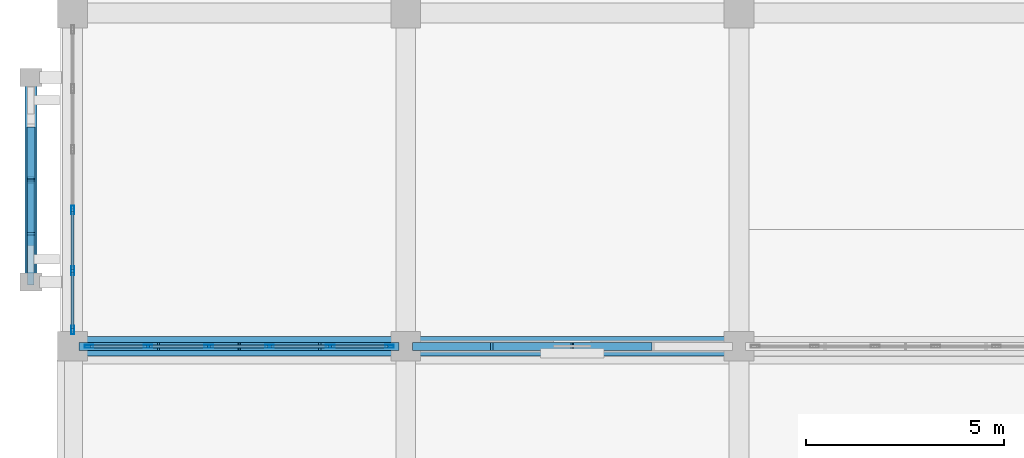
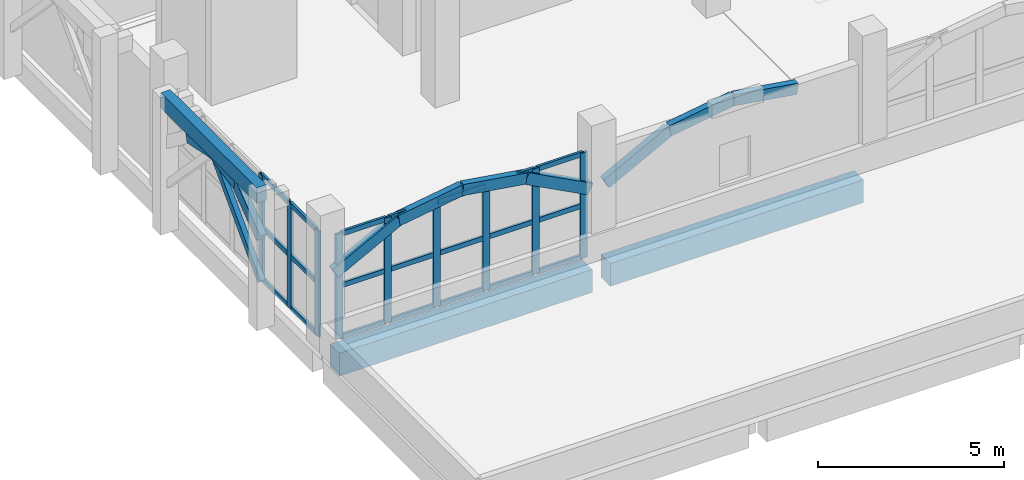
# One storey, part 39 of 114: 41 members, 3 beams, 2 elements without a shape of their own.
"""IFC4 building model written with IfcOpenShell, lengths in metres."""

import ifcopenshell
import ifcopenshell.guid

model = None  # the IFC model being written
_history = None  # IfcOwnerHistory: only IFC2X3 demands one
_inside = {}  # id of a spatial element -> (the spatial element, [elements in it])
_under = {}  # id of a project, library or spatial element -> (it, [spatial elements below it])
_declared = {}  # id of a project -> (the project, [libraries it declares])
_typed = {}  # id of a type object -> (the type object, [elements of that type])
_made_of = {}  # id of a material, layer set ... -> (it, [elements and type objects made of it])


def new_model(schema):
    """Start an empty IFC model of exactly this schema.

    Asked for "IFC4X3", IfcOpenShell would pick the latest addendum, in which some entities
    have other attributes; the version numbers below select the first issue.
    IFC2X3 requires an IfcOwnerHistory on every rooted entity: one is made here for all.
    """
    global model, _history
    if schema == "IFC4X3":
        model = ifcopenshell.file(schema_version=(4, 3, 0, 0))
    else:
        model = ifcopenshell.file(schema=schema)
    _inside.clear()
    _under.clear()
    _declared.clear()
    _typed.clear()
    _made_of.clear()
    _history = None
    if model.schema == "IFC2X3":
        org = make("IfcOrganization", Name="unknown")
        user = make(
            "IfcPersonAndOrganization",
            ThePerson=make("IfcPerson", FamilyName="unknown"),
            TheOrganization=org,
        )
        app = make(
            "IfcApplication",
            ApplicationDeveloper=org,
            Version="unknown",
            ApplicationFullName="unknown",
            ApplicationIdentifier="unknown",
        )
        _history = make(
            "IfcOwnerHistory",
            OwningUser=user,
            OwningApplication=app,
            ChangeAction="ADDED",
            CreationDate=0,
        )
    return model


def make(cls, **values):
    """One entity of the class cls with the attributes given. An attribute that is None is left unset."""
    return model.create_entity(
        cls, **{name: value for name, value in values.items() if value is not None}
    )


def rooted(cls, **values):
    """An entity with a GlobalId (a new one), such as an element, a storey or a relation."""
    return make(cls, GlobalId=ifcopenshell.guid.new(), OwnerHistory=_history, **values)


def si_unit(unit_type, name, prefix=None):
    """IfcSIUnit, for example si_unit("LENGTHUNIT", "METRE", prefix="MILLI")."""
    return make("IfcSIUnit", UnitType=unit_type, Prefix=prefix, Name=name)


def assignment(units):
    """IfcUnitAssignment: the units of a project."""
    return None if units is None else make("IfcUnitAssignment", Units=units)


def point(xyz):
    """IfcCartesianPoint."""
    return None if xyz is None else make("IfcCartesianPoint", Coordinates=xyz)


def direction(xyz):
    """IfcDirection."""
    return None if xyz is None else make("IfcDirection", DirectionRatios=xyz)


def frame(location, z_axis=None, x_axis=None):
    """IfcAxis2Placement3D, a coordinate frame: its origin and axes. An axis left out is left unset."""
    return make(
        "IfcAxis2Placement3D",
        Location=point(location),
        Axis=direction(z_axis),
        RefDirection=direction(x_axis),
    )


def frame_2d(location, x_axis=None):
    """IfcAxis2Placement2D, a coordinate frame in the plane: its origin and x axis."""
    return make(
        "IfcAxis2Placement2D", Location=point(location), RefDirection=direction(x_axis)
    )


def origin():
    """The frame at (0, 0, 0) with its axes left unset."""
    return frame((0.0, 0.0, 0.0))


def origin_2d():
    """The frame at (0, 0) in the plane with its x axis left unset."""
    return frame_2d((0.0, 0.0))


def place(relative_to, where):
    """IfcLocalPlacement: puts the frame where relative to a parent placement (None: the world)."""
    return make(
        "IfcLocalPlacement", PlacementRelTo=relative_to, RelativePlacement=where
    )


def context(
    kind, dimensions, precision=None, world=None, true_north=None, identifier=None
):
    """IfcGeometricRepresentationContext, for example the 3D "Model" context."""
    return make(
        "IfcGeometricRepresentationContext",
        ContextIdentifier=identifier,
        ContextType=kind,
        CoordinateSpaceDimension=dimensions,
        Precision=precision,
        WorldCoordinateSystem=world,
        TrueNorth=true_north,
    )


def subcontext(parent, identifier, kind, view, scale=None):
    """IfcGeometricRepresentationSubContext, for example "Body" below "Model"."""
    return make(
        "IfcGeometricRepresentationSubContext",
        ContextIdentifier=identifier,
        ContextType=kind,
        ParentContext=parent,
        TargetScale=scale,
        TargetView=view,
    )


def project(units=None, contexts=None):
    """IfcProject with its units and contexts."""
    return rooted(
        "IfcProject",
        Name="project",
        RepresentationContexts=contexts,
        UnitsInContext=assignment(units),
    )


def spatial(cls, under=None, at=None, **own):
    """A site, building, storey or space (cls), placed at a placement, below another one or the project."""
    s = rooted(cls, ObjectPlacement=at, **own)
    if under is not None:
        _under.setdefault(under.id(), (under, []))[1].append(s)
    return s


def profile(cls, at=None, kind="AREA", **sizes):
    """A parametric profile (cls). Its sizes go by their IFC names, for example OverallWidth=200.0."""
    return make(cls, ProfileType=kind, Position=at, **sizes)


def rectangle(**sizes):
    """IfcRectangleProfileDef."""
    return profile("IfcRectangleProfileDef", **sizes)


def hollow_rectangle(**sizes):
    """IfcRectangleHollowProfileDef."""
    return profile("IfcRectangleHollowProfileDef", **sizes)


def extrude(swept, where, along, depth):
    """IfcExtrudedAreaSolid: the profile swept, set in the frame where, extruded along a direction by depth."""
    return make(
        "IfcExtrudedAreaSolid",
        SweptArea=swept,
        Position=where,
        ExtrudedDirection=direction(along),
        Depth=depth,
    )


def shape(context_of_items, identifier, shape_type, items):
    """IfcShapeRepresentation: the items that make up one representation, for example the "Body"."""
    return make(
        "IfcShapeRepresentation",
        ContextOfItems=context_of_items,
        RepresentationIdentifier=identifier,
        RepresentationType=shape_type,
        Items=items,
    )


def material(Name=None, Category=None):
    """IfcMaterial."""
    return make("IfcMaterial", Name=Name, Category=Category)


def layer(
    of_material, thickness, ventilated=None, Name=None, Category=None, Priority=None
):
    """IfcMaterialLayer: one layer of a wall or slab, of a material (None: an air gap)."""
    return make(
        "IfcMaterialLayer",
        Material=of_material,
        LayerThickness=thickness,
        IsVentilated=ventilated,
        Name=Name,
        Category=Category,
        Priority=Priority,
    )


def layer_set(layers, Name=None):
    """IfcMaterialLayerSet."""
    return make("IfcMaterialLayerSet", MaterialLayers=layers, LayerSetName=Name)


def material_profile(
    of_material, cross_section, Name=None, Category=None, Priority=None
):
    """IfcMaterialProfile: a cross section and its material."""
    return make(
        "IfcMaterialProfile",
        Name=Name,
        Material=of_material,
        Profile=cross_section,
        Priority=Priority,
        Category=Category,
    )


def profile_set(profiles, Name=None, composite=None):
    """IfcMaterialProfileSet."""
    return make(
        "IfcMaterialProfileSet",
        Name=Name,
        MaterialProfiles=profiles,
        CompositeProfile=composite,
    )


def made_of(thing, what):
    """Note that an element or type object is made of a material, layer set ...; save() writes the relation."""
    if what is not None:
        _made_of.setdefault(what.id(), (what, []))[1].append(thing)
    return thing


def type_object(cls, material=None, **own):
    """A type object (cls), such as IfcWallType, which elements share."""
    return made_of(rooted(cls, **own), material)


def element(
    cls,
    number,
    at=None,
    inside=None,
    cuts=None,
    type_object=None,
    material=None,
    context=None,
    identifier="Body",
    shape_type=None,
    held_by="IfcProductDefinitionShape",
    body=None,
    shapes=None,
    **own,
):
    """One element of the class cls, such as IfcWall. Its Tag is "e" and its number.

    at: its placement. inside: the storey or other place that contains it. cuts: it is an
    opening in that element (IfcRelVoidsElement). A single representation is given by context,
    identifier, shape_type and body (its items); several are given by shapes. held_by: the class
    of the entity that holds the representations. save() writes the other relations.
    """
    e = rooted(cls, Tag="e%d" % number, ObjectPlacement=at, **own)
    if body is not None:
        shapes = [shape(context, identifier, shape_type, body)]
    if shapes is not None:
        e.Representation = make(held_by, Representations=shapes)
    if inside is not None:
        _inside.setdefault(inside.id(), (inside, []))[1].append(e)
    if cuts is not None:
        rooted(
            "IfcRelVoidsElement", RelatingBuildingElement=cuts, RelatedOpeningElement=e
        )
    if type_object is not None:
        _typed.setdefault(type_object.id(), (type_object, []))[1].append(e)
    return made_of(e, material)


def aggregate(whole, parts):
    """IfcRelAggregates: a whole, such as a stair, and the parts it consists of."""
    return rooted("IfcRelAggregates", RelatingObject=whole, RelatedObjects=parts)


def save(model, path):
    """Write the relations noted so far, then the file.

    IfcRelAggregates (storeys below a building ...), IfcRelContainedInSpatialStructure (elements
    in a storey), IfcRelDefinesByType, IfcRelAssociatesMaterial and IfcRelDeclares: one each for
    every whole, place, type object, material and project.
    """
    for whole, parts in _under.values():
        aggregate(whole, parts)
    for where, things in _inside.values():
        rooted(
            "IfcRelContainedInSpatialStructure",
            RelatedElements=things,
            RelatingStructure=where,
        )
    for kind, things in _typed.values():
        rooted("IfcRelDefinesByType", RelatedObjects=things, RelatingType=kind)
    for what, things in _made_of.values():
        rooted("IfcRelAssociatesMaterial", RelatedObjects=things, RelatingMaterial=what)
    for by, libraries in _declared.values():
        rooted("IfcRelDeclares", RelatingContext=by, RelatedDefinitions=libraries)
    model.write(path)


model = new_model("IFC4")

# Units and contexts
model_context = context("Model", 3, precision=1e-05, world=origin(), true_north=direction((0.0, 1.0)))
body_context = subcontext(model_context, "Body", "Model", "MODEL_VIEW")
ifc_project = project(units=[si_unit("LENGTHUNIT", "METRE"), si_unit("AREAUNIT", "SQUARE_METRE"), si_unit("VOLUMEUNIT", "CUBIC_METRE"), si_unit("PLANEANGLEUNIT", "RADIAN"), si_unit("MASSUNIT", "GRAM", prefix="KILO")], contexts=[model_context])

# Site, building, storey
site_placement = place(None, origin())
site = spatial("IfcSite", under=ifc_project, at=site_placement, CompositionType="ELEMENT")
building_placement = place(site_placement, origin())
building = spatial("IfcBuilding", under=site, at=building_placement, Name="Xazarin Passage Department Store", CompositionType="ELEMENT")
storey_placement = place(building_placement, frame((0.0, 0.0, 14.39990234375)))
storey = spatial("IfcBuildingStorey", under=building, at=storey_placement, Name="L03", CompositionType="ELEMENT", Elevation=14.39990234375)

# Curtain wall, members
ifc_material_1 = material(Name="Bronze anodised aluminium", Category="aluminium")
ifc_layer = layer(ifc_material_1, 0.199951171875)
ifc_layer_set = layer_set([ifc_layer], Name="Bronze anodised aluminium")
curtain_wall_type = type_object("IfcCurtainWallType", Name="ARC-CW-VIT2", PredefinedType="NOTDEFINED", material=ifc_layer_set)
curtain_wall_1_placement = place(storey_placement, origin())
curtain_wall_1 = element("IfcCurtainWall", 1, at=curtain_wall_1_placement, inside=storey, type_object=curtain_wall_type, Name="L03 V1 Curtain Wall 055", PredefinedType="NOTDEFINED")
ifc_material_profile_1 = material_profile(ifc_material_1, hollow_rectangle(XDim=0.074951171875, YDim=0.219970703125, WallThickness=0.0048828125, at=origin_2d()), Name="ALU 75x220")
ifc_profile_set_1 = profile_set([ifc_material_profile_1], Name="Bronze anodised aluminium")
member_type_1 = type_object("IfcMemberType", Name="ARC-CWM-75x220", PredefinedType="MULLION", material=ifc_profile_set_1)
member_1_placement = place(storey_placement, frame((0.41259765625, 68.0, 0.0), z_axis=(0.0, 0.0, 1.0), x_axis=(0.0, 1.0, 0.0)))
member_1 = element("IfcMember", 2, at=member_1_placement, type_object=member_type_1, Name="CW2 mullion 1", PredefinedType="MULLION", context=body_context, shape_type="SweptSolid", body=[
    extrude(hollow_rectangle(XDim=0.074951171875, YDim=0.219970703125, WallThickness=0.0048828125, at=origin_2d()), origin(), (0.0, 0.0, 1.0), 3.4501953125),
])
member_2_placement = place(storey_placement, frame((1.905029296875, 68.0, 0.0), z_axis=(0.0, 0.0, 1.0), x_axis=(0.0, 1.0, 0.0)))
member_2 = element("IfcMember", 3, at=member_2_placement, type_object=member_type_1, Name="CW2 mullion 2", PredefinedType="MULLION", context=body_context, shape_type="SweptSolid", body=[
    extrude(hollow_rectangle(XDim=0.074951171875, YDim=0.219970703125, WallThickness=0.0048828125, at=origin_2d()), origin(), (0.0, 0.0, 1.0), 3.4501953125),
])
member_3_placement = place(storey_placement, frame((3.43505859375, 68.0, 0.0), z_axis=(0.0, 0.0, 1.0), x_axis=(0.0, 1.0, 0.0)))
member_3 = element("IfcMember", 4, at=member_3_placement, type_object=member_type_1, Name="CW2 mullion 3", PredefinedType="MULLION", context=body_context, shape_type="SweptSolid", body=[
    extrude(hollow_rectangle(XDim=0.074951171875, YDim=0.219970703125, WallThickness=0.0048828125, at=origin_2d()), origin(), (0.0, 0.0, 1.0), 3.4501953125),
])
member_4_placement = place(storey_placement, frame((4.965087890625, 68.0, 0.0), z_axis=(0.0, 0.0, 1.0), x_axis=(0.0, 1.0, 0.0)))
member_4 = element("IfcMember", 5, at=member_4_placement, type_object=member_type_1, Name="CW2 mullion 4", PredefinedType="MULLION", context=body_context, shape_type="SweptSolid", body=[
    extrude(hollow_rectangle(XDim=0.074951171875, YDim=0.219970703125, WallThickness=0.0048828125, at=origin_2d()), origin(), (0.0, 0.0, 1.0), 3.4501953125),
])
member_5_placement = place(storey_placement, frame((6.4951171875, 68.0, 0.0), z_axis=(0.0, 0.0, 1.0), x_axis=(0.0, 1.0, 0.0)))
member_5 = element("IfcMember", 6, at=member_5_placement, type_object=member_type_1, Name="CW2 mullion 5", PredefinedType="MULLION", context=body_context, shape_type="SweptSolid", body=[
    extrude(hollow_rectangle(XDim=0.074951171875, YDim=0.219970703125, WallThickness=0.0048828125, at=origin_2d()), origin(), (0.0, 0.0, 1.0), 3.4501953125),
])
member_6_placement = place(storey_placement, frame((7.987548828125, 68.0, 0.0), z_axis=(0.0, 0.0, 1.0), x_axis=(0.0, 1.0, 0.0)))
member_6 = element("IfcMember", 7, at=member_6_placement, type_object=member_type_1, Name="CW2 mullion 6", PredefinedType="MULLION", context=body_context, shape_type="SweptSolid", body=[
    extrude(hollow_rectangle(XDim=0.074951171875, YDim=0.219970703125, WallThickness=0.0048828125, at=origin_2d()), origin(), (0.0, 0.0, 1.0), 3.4501953125),
])

curtain_wall_2_placement = place(storey_placement, origin())
curtain_wall_2 = element("IfcCurtainWall", 8, at=curtain_wall_2_placement, inside=storey, type_object=curtain_wall_type, Name="L03 V1 Curtain Wall 063", PredefinedType="NOTDEFINED")
member_7_placement = place(storey_placement, frame((0.0, 68.41259765625, 0.0), z_axis=(0.0, 0.0, 1.0), x_axis=(-1.0, 0.0, 0.0)))
member_7 = element("IfcMember", 9, at=member_7_placement, type_object=member_type_1, Name="CW2 mullion 1", PredefinedType="MULLION", context=body_context, shape_type="SweptSolid", body=[
    extrude(hollow_rectangle(XDim=0.074951171875, YDim=0.219970703125, WallThickness=0.0048828125, at=origin_2d()), origin(), (0.0, 0.0, 1.0), 3.4501953125),
])
member_8_placement = place(storey_placement, frame((0.0, 69.905029296875, 0.0), z_axis=(0.0, 0.0, 1.0), x_axis=(-1.0, 0.0, 0.0)))
member_8 = element("IfcMember", 10, at=member_8_placement, type_object=member_type_1, Name="CW2 mullion 2", PredefinedType="MULLION", context=body_context, shape_type="SweptSolid", body=[
    extrude(hollow_rectangle(XDim=0.074951171875, YDim=0.219970703125, WallThickness=0.0048828125, at=origin_2d()), origin(), (0.0, 0.0, 1.0), 3.4501953125),
])
member_9_placement = place(storey_placement, frame((0.0, 71.43505859375, 0.0), z_axis=(0.0, 0.0, 1.0), x_axis=(-1.0, 0.0, 0.0)))
member_9 = element("IfcMember", 11, at=member_9_placement, type_object=member_type_1, Name="CW2 mullion 3", PredefinedType="MULLION", context=body_context, shape_type="SweptSolid", body=[
    extrude(hollow_rectangle(XDim=0.074951171875, YDim=0.219970703125, WallThickness=0.0048828125, at=origin_2d()), origin(), (0.0, 0.0, 1.0), 3.4501953125),
])

# Member
ifc_material_profile_2 = material_profile(ifc_material_1, hollow_rectangle(XDim=0.074951171875, YDim=0.159912109375, WallThickness=0.00439453125, at=origin_2d()), Name="ALU 75x160")
ifc_profile_set_2 = profile_set([ifc_material_profile_2], Name="Bronze anodised aluminium")
member_type_2 = type_object("IfcMemberType", Name="ARC-CWT-75x160", PredefinedType="USERDEFINED", material=ifc_profile_set_2)
member_10_placement = place(storey_placement, frame((0.449951171875, 68.0, 0.03759765625), z_axis=(1.0, 0.0, 0.0), x_axis=(0.0, 1.0, 0.0)))
member_10 = element("IfcMember", 12, at=member_10_placement, type_object=member_type_2, Name="CW2 transom 1.1", ObjectType="TRANSOM", PredefinedType="USERDEFINED", context=body_context, shape_type="SweptSolid", body=[
    extrude(hollow_rectangle(XDim=0.074951171875, YDim=0.159912109375, WallThickness=0.00439453125, at=origin_2d()), origin(), (0.0, 0.0, 1.0), 1.41748046875),
])

member_11_placement = place(storey_placement, frame((0.449951171875, 68.0, 1.72509765625), z_axis=(1.0, 0.0, 0.0), x_axis=(0.0, 1.0, 0.0)))
member_11 = element("IfcMember", 13, at=member_11_placement, type_object=member_type_2, Name="CW2 transom 1.2", ObjectType="TRANSOM", PredefinedType="USERDEFINED", context=body_context, shape_type="SweptSolid", body=[
    extrude(hollow_rectangle(XDim=0.074951171875, YDim=0.159912109375, WallThickness=0.00439453125, at=origin_2d()), origin(), (0.0, 0.0, 1.0), 1.41748046875),
])

member_12_placement = place(storey_placement, frame((0.449951171875, 68.0, 3.41259765625), z_axis=(1.0, 0.0, 0.0), x_axis=(0.0, 1.0, 0.0)))
member_12 = element("IfcMember", 14, at=member_12_placement, type_object=member_type_2, Name="CW2 transom 1.3", ObjectType="TRANSOM", PredefinedType="USERDEFINED", context=body_context, shape_type="SweptSolid", body=[
    extrude(hollow_rectangle(XDim=0.074951171875, YDim=0.159912109375, WallThickness=0.00439453125, at=origin_2d()), origin(), (0.0, 0.0, 1.0), 1.41748046875),
])

member_13_placement = place(storey_placement, frame((1.9423828125, 68.0, 0.03759765625), z_axis=(1.0, 0.0, 0.0), x_axis=(0.0, 1.0, 0.0)))
member_13 = element("IfcMember", 15, at=member_13_placement, type_object=member_type_2, Name="CW2 transom 2.1", ObjectType="TRANSOM", PredefinedType="USERDEFINED", context=body_context, shape_type="SweptSolid", body=[
    extrude(hollow_rectangle(XDim=0.074951171875, YDim=0.159912109375, WallThickness=0.00439453125, at=origin_2d()), origin(), (0.0, 0.0, 1.0), 1.455078125),
])

member_14_placement = place(storey_placement, frame((1.9423828125, 68.0, 1.72509765625), z_axis=(1.0, 0.0, 0.0), x_axis=(0.0, 1.0, 0.0)))
member_14 = element("IfcMember", 16, at=member_14_placement, type_object=member_type_2, Name="CW2 transom 2.2", ObjectType="TRANSOM", PredefinedType="USERDEFINED", context=body_context, shape_type="SweptSolid", body=[
    extrude(hollow_rectangle(XDim=0.074951171875, YDim=0.159912109375, WallThickness=0.00439453125, at=origin_2d()), origin(), (0.0, 0.0, 1.0), 1.455078125),
])

member_15_placement = place(storey_placement, frame((1.9423828125, 68.0, 3.41259765625), z_axis=(1.0, 0.0, 0.0), x_axis=(0.0, 1.0, 0.0)))
member_15 = element("IfcMember", 17, at=member_15_placement, type_object=member_type_2, Name="CW2 transom 2.3", ObjectType="TRANSOM", PredefinedType="USERDEFINED", context=body_context, shape_type="SweptSolid", body=[
    extrude(hollow_rectangle(XDim=0.074951171875, YDim=0.159912109375, WallThickness=0.00439453125, at=origin_2d()), origin(), (0.0, 0.0, 1.0), 1.455078125),
])

member_16_placement = place(storey_placement, frame((3.472412109375, 68.0, 0.03759765625), z_axis=(1.0, 0.0, 0.0), x_axis=(0.0, 1.0, 0.0)))
member_16 = element("IfcMember", 18, at=member_16_placement, type_object=member_type_2, Name="CW2 transom 3.1", ObjectType="TRANSOM", PredefinedType="USERDEFINED", context=body_context, shape_type="SweptSolid", body=[
    extrude(hollow_rectangle(XDim=0.074951171875, YDim=0.159912109375, WallThickness=0.00439453125, at=origin_2d()), origin(), (0.0, 0.0, 1.0), 1.455078125),
])

member_17_placement = place(storey_placement, frame((3.472412109375, 68.0, 1.72509765625), z_axis=(1.0, 0.0, 0.0), x_axis=(0.0, 1.0, 0.0)))
member_17 = element("IfcMember", 19, at=member_17_placement, type_object=member_type_2, Name="CW2 transom 3.2", ObjectType="TRANSOM", PredefinedType="USERDEFINED", context=body_context, shape_type="SweptSolid", body=[
    extrude(hollow_rectangle(XDim=0.074951171875, YDim=0.159912109375, WallThickness=0.00439453125, at=origin_2d()), origin(), (0.0, 0.0, 1.0), 1.455078125),
])

member_18_placement = place(storey_placement, frame((3.472412109375, 68.0, 3.41259765625), z_axis=(1.0, 0.0, 0.0), x_axis=(0.0, 1.0, 0.0)))
member_18 = element("IfcMember", 20, at=member_18_placement, type_object=member_type_2, Name="CW2 transom 3.3", ObjectType="TRANSOM", PredefinedType="USERDEFINED", context=body_context, shape_type="SweptSolid", body=[
    extrude(hollow_rectangle(XDim=0.074951171875, YDim=0.159912109375, WallThickness=0.00439453125, at=origin_2d()), origin(), (0.0, 0.0, 1.0), 1.455078125),
])

member_19_placement = place(storey_placement, frame((5.00244140625, 68.0, 0.03759765625), z_axis=(1.0, 0.0, 0.0), x_axis=(0.0, 1.0, 0.0)))
member_19 = element("IfcMember", 21, at=member_19_placement, type_object=member_type_2, Name="CW2 transom 4.1", ObjectType="TRANSOM", PredefinedType="USERDEFINED", context=body_context, shape_type="SweptSolid", body=[
    extrude(hollow_rectangle(XDim=0.074951171875, YDim=0.159912109375, WallThickness=0.00439453125, at=origin_2d()), origin(), (0.0, 0.0, 1.0), 1.455078125),
])

member_20_placement = place(storey_placement, frame((5.00244140625, 68.0, 1.72509765625), z_axis=(1.0, 0.0, 0.0), x_axis=(0.0, 1.0, 0.0)))
member_20 = element("IfcMember", 22, at=member_20_placement, type_object=member_type_2, Name="CW2 transom 4.2", ObjectType="TRANSOM", PredefinedType="USERDEFINED", context=body_context, shape_type="SweptSolid", body=[
    extrude(hollow_rectangle(XDim=0.074951171875, YDim=0.159912109375, WallThickness=0.00439453125, at=origin_2d()), origin(), (0.0, 0.0, 1.0), 1.455078125),
])

member_21_placement = place(storey_placement, frame((5.00244140625, 68.0, 3.41259765625), z_axis=(1.0, 0.0, 0.0), x_axis=(0.0, 1.0, 0.0)))
member_21 = element("IfcMember", 23, at=member_21_placement, type_object=member_type_2, Name="CW2 transom 4.3", ObjectType="TRANSOM", PredefinedType="USERDEFINED", context=body_context, shape_type="SweptSolid", body=[
    extrude(hollow_rectangle(XDim=0.074951171875, YDim=0.159912109375, WallThickness=0.00439453125, at=origin_2d()), origin(), (0.0, 0.0, 1.0), 1.455078125),
])

member_22_placement = place(storey_placement, frame((6.532470703125, 68.0, 0.03759765625), z_axis=(1.0, 0.0, 0.0), x_axis=(0.0, 1.0, 0.0)))
member_22 = element("IfcMember", 24, at=member_22_placement, type_object=member_type_2, Name="CW2 transom 5.1", ObjectType="TRANSOM", PredefinedType="USERDEFINED", context=body_context, shape_type="SweptSolid", body=[
    extrude(hollow_rectangle(XDim=0.074951171875, YDim=0.159912109375, WallThickness=0.00439453125, at=origin_2d()), origin(), (0.0, 0.0, 1.0), 1.41748046875),
])

member_23_placement = place(storey_placement, frame((6.532470703125, 68.0, 1.72509765625), z_axis=(1.0, 0.0, 0.0), x_axis=(0.0, 1.0, 0.0)))
member_23 = element("IfcMember", 25, at=member_23_placement, type_object=member_type_2, Name="CW2 transom 5.2", ObjectType="TRANSOM", PredefinedType="USERDEFINED", context=body_context, shape_type="SweptSolid", body=[
    extrude(hollow_rectangle(XDim=0.074951171875, YDim=0.159912109375, WallThickness=0.00439453125, at=origin_2d()), origin(), (0.0, 0.0, 1.0), 1.41748046875),
])

member_24_placement = place(storey_placement, frame((6.532470703125, 68.0, 3.41259765625), z_axis=(1.0, 0.0, 0.0), x_axis=(0.0, 1.0, 0.0)))
member_24 = element("IfcMember", 26, at=member_24_placement, type_object=member_type_2, Name="CW2 transom 5.3", ObjectType="TRANSOM", PredefinedType="USERDEFINED", context=body_context, shape_type="SweptSolid", body=[
    extrude(hollow_rectangle(XDim=0.074951171875, YDim=0.159912109375, WallThickness=0.00439453125, at=origin_2d()), origin(), (0.0, 0.0, 1.0), 1.41748046875),
])

aggregate(curtain_wall_1, [member_1, member_2, member_3, member_4, member_5, member_6, member_10, member_11, member_12, member_13, member_14, member_15, member_16, member_17, member_18, member_19, member_20, member_21, member_22, member_23, member_24])

member_25_placement = place(storey_placement, frame((0.0, 68.449951171875, 0.03759765625), z_axis=(0.0, 1.0, 0.0), x_axis=(-1.0, 0.0, 0.0)))
member_25 = element("IfcMember", 27, at=member_25_placement, type_object=member_type_2, Name="CW2 transom 1.1", ObjectType="TRANSOM", PredefinedType="USERDEFINED", context=body_context, shape_type="SweptSolid", body=[
    extrude(hollow_rectangle(XDim=0.074951171875, YDim=0.159912109375, WallThickness=0.00439453125, at=origin_2d()), origin(), (0.0, 0.0, 1.0), 1.41748046875),
])

member_26_placement = place(storey_placement, frame((0.0, 68.449951171875, 1.72509765625), z_axis=(0.0, 1.0, 0.0), x_axis=(-1.0, 0.0, 0.0)))
member_26 = element("IfcMember", 28, at=member_26_placement, type_object=member_type_2, Name="CW2 transom 1.2", ObjectType="TRANSOM", PredefinedType="USERDEFINED", context=body_context, shape_type="SweptSolid", body=[
    extrude(hollow_rectangle(XDim=0.074951171875, YDim=0.159912109375, WallThickness=0.00439453125, at=origin_2d()), origin(), (0.0, 0.0, 1.0), 1.41748046875),
])

member_27_placement = place(storey_placement, frame((0.0, 68.449951171875, 3.41259765625), z_axis=(0.0, 1.0, 0.0), x_axis=(-1.0, 0.0, 0.0)))
member_27 = element("IfcMember", 29, at=member_27_placement, type_object=member_type_2, Name="CW2 transom 1.3", ObjectType="TRANSOM", PredefinedType="USERDEFINED", context=body_context, shape_type="SweptSolid", body=[
    extrude(hollow_rectangle(XDim=0.074951171875, YDim=0.159912109375, WallThickness=0.00439453125, at=origin_2d()), origin(), (0.0, 0.0, 1.0), 1.41748046875),
])

member_28_placement = place(storey_placement, frame((0.0, 69.9423828125, 0.03759765625), z_axis=(0.0, 1.0, 0.0), x_axis=(-1.0, 0.0, 0.0)))
member_28 = element("IfcMember", 30, at=member_28_placement, type_object=member_type_2, Name="CW2 transom 2.1", ObjectType="TRANSOM", PredefinedType="USERDEFINED", context=body_context, shape_type="SweptSolid", body=[
    extrude(hollow_rectangle(XDim=0.074951171875, YDim=0.159912109375, WallThickness=0.00439453125, at=origin_2d()), origin(), (0.0, 0.0, 1.0), 1.455078125),
])

member_29_placement = place(storey_placement, frame((0.0, 69.9423828125, 1.72509765625), z_axis=(0.0, 1.0, 0.0), x_axis=(-1.0, 0.0, 0.0)))
member_29 = element("IfcMember", 31, at=member_29_placement, type_object=member_type_2, Name="CW2 transom 2.2", ObjectType="TRANSOM", PredefinedType="USERDEFINED", context=body_context, shape_type="SweptSolid", body=[
    extrude(hollow_rectangle(XDim=0.074951171875, YDim=0.159912109375, WallThickness=0.00439453125, at=origin_2d()), origin(), (0.0, 0.0, 1.0), 1.455078125),
])

member_30_placement = place(storey_placement, frame((0.0, 69.9423828125, 3.41259765625), z_axis=(0.0, 1.0, 0.0), x_axis=(-1.0, 0.0, 0.0)))
member_30 = element("IfcMember", 32, at=member_30_placement, type_object=member_type_2, Name="CW2 transom 2.3", ObjectType="TRANSOM", PredefinedType="USERDEFINED", context=body_context, shape_type="SweptSolid", body=[
    extrude(hollow_rectangle(XDim=0.074951171875, YDim=0.159912109375, WallThickness=0.00439453125, at=origin_2d()), origin(), (0.0, 0.0, 1.0), 1.455078125),
])

aggregate(curtain_wall_2, [member_7, member_8, member_9, member_25, member_26, member_27, member_28, member_29, member_30])

# Beams
ifc_material_2 = material(Name="Concrete C35/45", Category="concrete")
ifc_material_profile_3 = material_profile(ifc_material_2, rectangle(XDim=0.300048828125, YDim=0.5, at=origin_2d()), Name="RC 300x500")
ifc_profile_set_3 = profile_set([ifc_material_profile_3], Name="Concrete C35/45")
beam_type_1 = type_object("IfcBeamType", Name="STR-BM-LN300x500", PredefinedType="LINTEL", material=ifc_profile_set_3)
beam_placement = place(storey_placement, frame((-1.050048828125, 69.6201171875, 4.25), z_axis=(0.0, 1.0, 0.0), x_axis=(-1.0, 0.0, 0.0)))
element("IfcBeam", 33, at=beam_placement, inside=storey, type_object=beam_type_1, Name="L03 V1 Colonnade Spandrel Beam 010", PredefinedType="LINTEL", context=body_context, shape_type="SweptSolid", body=[
    extrude(rectangle(XDim=0.300048828125, YDim=0.5, at=origin_2d()), origin(), (0.0, 0.0, 1.0), 5.159912109375),
])
ifc_material_profile_4 = material_profile(ifc_material_2, rectangle(XDim=0.5, YDim=0.75, at=origin_2d()), Name="RC 500x750")
ifc_profile_set_4 = profile_set([ifc_material_profile_4], Name="Concrete C35/45")
beam_type_2 = type_object("IfcBeamType", Name="STR-BM-SP500x750", PredefinedType="SPANDREL", material=ifc_profile_set_4)
for number, where, z_axis, x_axis, name in (
    (34, (0.280029296875, 68.0, -0.6748046875), (1.0, 0.0, 0.0), (0.0, 1.0, 0.0), "L03 Grid Beam K/1-2"),
    (35, (8.679931640625, 68.0, -0.6748046875), (1.0, 0.0, 0.0), (0.0, 1.0, 0.0), "L03 Grid Beam K/2-3"),
):
    element("IfcBeam", number, at=place(storey_placement, frame(where, z_axis=z_axis, x_axis=x_axis)), inside=storey, type_object=beam_type_2, Name=name, PredefinedType="SPANDREL", context=body_context, shape_type="SweptSolid", body=[
        extrude(rectangle(XDim=0.5, YDim=0.75, at=origin_2d()), origin(), (0.0, 0.0, 1.0), 7.840087890625),
    ])

# Members
ifc_material_3 = material(Name="Concrete C40/50", Category="concrete")
ifc_material_profile_5 = material_profile(ifc_material_3, rectangle(XDim=0.199951171875, YDim=0.360107421875, at=origin_2d()), Name="RC 200x360")
ifc_profile_set_5 = profile_set([ifc_material_profile_5], Name="Concrete C40/50")
member_type_3 = type_object("IfcMemberType", Name="STR-MEM-ARC360", PredefinedType="CHORD", material=ifc_profile_set_5)
member_31_placement = place(storey_placement, frame((-1.050048828125, 69.6201171875, 2.830078125), z_axis=(0.0, 0.794353565088, 0.607455688616), x_axis=(-1.0, 0.0, 0.0)))
element("IfcMember", 36, at=member_31_placement, inside=storey, type_object=member_type_3, Name="L03 V1 Pierced Lattice Curved Arch 010.1", PredefinedType="CHORD", context=body_context, shape_type="SweptSolid", body=[
    extrude(rectangle(XDim=0.199951171875, YDim=0.360107421875, at=origin_2d()), origin(), (0.0, 0.0, 1.0), 1.623779296875),
])
for number, where, z_axis, x_axis, name in (
    (37, (-1.050048828125, 70.909912109375, 3.81640625), (0.0, 0.979744705887, 0.200250621188), (-1.0, 0.0, 0.0), "L03 V1 Pierced Lattice Curved Arch 010.2"),
    (38, (-1.050048828125, 72.199951171875, 4.080078125), (0.0, 0.979744705887, -0.200250621188), (-1.0, 0.0, 0.0), "L03 V1 Pierced Lattice Curved Arch 010.3"),
):
    element("IfcMember", number, at=place(storey_placement, frame(where, z_axis=z_axis, x_axis=x_axis)), inside=storey, type_object=member_type_3, Name=name, PredefinedType="CHORD", context=body_context, shape_type="SweptSolid", body=[
        extrude(rectangle(XDim=0.199951171875, YDim=0.360107421875, at=origin_2d()), origin(), (0.0, 0.0, 1.0), 1.316650390625),
    ])
member_32_placement = place(storey_placement, frame((0.25, 68.0, 2.22998046875), z_axis=(0.88473311603, 0.0, 0.466097965454), x_axis=(0.0, 1.0, 0.0)))
element("IfcMember", 39, at=member_32_placement, inside=storey, type_object=member_type_3, Name="L03 V1 Upper Setback Pierced Arch 012.1", PredefinedType="CHORD", context=body_context, shape_type="SweptSolid", body=[
    extrude(rectangle(XDim=0.199951171875, YDim=0.360107421875, at=origin_2d()), origin(), (0.0, 0.0, 1.0), 2.232421875),
])
member_33_placement = place(storey_placement, frame((2.22509765625, 68.0, 3.2705078125), z_axis=(0.987935652704, 0.0, 0.154864928623), x_axis=(0.0, 1.0, 0.0)))
element("IfcMember", 40, at=member_33_placement, inside=storey, type_object=member_type_3, Name="L03 V1 Upper Setback Pierced Arch 012.2", PredefinedType="CHORD", context=body_context, shape_type="SweptSolid", body=[
    extrude(rectangle(XDim=0.199951171875, YDim=0.360107421875, at=origin_2d()), origin(), (0.0, 0.0, 1.0), 1.9990234375),
])
member_34_placement = place(storey_placement, frame((4.199951171875, 68.0, 3.580078125), z_axis=(0.987938581312, 0.0, -0.154846244883), x_axis=(0.0, 1.0, 0.0)))
element("IfcMember", 41, at=member_34_placement, inside=storey, type_object=member_type_3, Name="L03 V1 Upper Setback Pierced Arch 012.3", PredefinedType="CHORD", context=body_context, shape_type="SweptSolid", body=[
    extrude(rectangle(XDim=0.199951171875, YDim=0.360107421875, at=origin_2d()), origin(), (0.0, 0.0, 1.0), 1.999267578125),
])
member_35_placement = place(storey_placement, frame((6.175048828125, 68.0, 3.2705078125), z_axis=(0.884709354127, 0.0, -0.466143066793), x_axis=(0.0, 1.0, 0.0)))
element("IfcMember", 42, at=member_35_placement, inside=storey, type_object=member_type_3, Name="L03 V1 Upper Setback Pierced Arch 012.4", PredefinedType="CHORD", context=body_context, shape_type="SweptSolid", body=[
    extrude(rectangle(XDim=0.199951171875, YDim=0.360107421875, at=origin_2d()), origin(), (0.0, 0.0, 1.0), 2.232177734375),
])
member_36_placement = place(storey_placement, frame((8.64990234375, 68.0, 2.22998046875), z_axis=(0.88473311603, 0.0, 0.466097965454), x_axis=(0.0, 1.0, 0.0)))
element("IfcMember", 43, at=member_36_placement, inside=storey, type_object=member_type_3, Name="L03 V1 Upper Setback Pierced Arch 013.1", PredefinedType="CHORD", context=body_context, shape_type="SweptSolid", body=[
    extrude(rectangle(XDim=0.199951171875, YDim=0.360107421875, at=origin_2d()), origin(), (0.0, 0.0, 1.0), 2.232421875),
])
member_37_placement = place(storey_placement, frame((10.625, 68.0, 3.2705078125), z_axis=(0.987938581312, 0.0, 0.154846244883), x_axis=(0.0, 1.0, 0.0)))
element("IfcMember", 44, at=member_37_placement, inside=storey, type_object=member_type_3, Name="L03 V1 Upper Setback Pierced Arch 013.2", PredefinedType="CHORD", context=body_context, shape_type="SweptSolid", body=[
    extrude(rectangle(XDim=0.199951171875, YDim=0.360107421875, at=origin_2d()), origin(), (0.0, 0.0, 1.0), 1.999267578125),
])
member_38_placement = place(storey_placement, frame((12.60009765625, 68.0, 3.580078125), z_axis=(0.987935652704, 0.0, -0.154864928623), x_axis=(0.0, 1.0, 0.0)))
element("IfcMember", 45, at=member_38_placement, inside=storey, type_object=member_type_3, Name="L03 V1 Upper Setback Pierced Arch 013.3", PredefinedType="CHORD", context=body_context, shape_type="SweptSolid", body=[
    extrude(rectangle(XDim=0.199951171875, YDim=0.360107421875, at=origin_2d()), origin(), (0.0, 0.0, 1.0), 1.9990234375),
])
ifc_material_profile_6 = material_profile(ifc_material_3, rectangle(XDim=0.159912109375, YDim=0.219970703125, at=origin_2d()), Name="RC 160x220")
ifc_profile_set_6 = profile_set([ifc_material_profile_6], Name="Concrete C40/50")
member_type_4 = type_object("IfcMemberType", Name="STR-MEM-TRC220", PredefinedType="CHORD", material=ifc_profile_set_6)
member_39_placement = place(storey_placement, frame((-1.050048828125, 72.199951171875, 4.080078125), z_axis=(0.0, -0.693524382622, -0.72043315492), x_axis=(1.0, 0.0, 0.0)))
element("IfcMember", 46, at=member_39_placement, inside=storey, type_object=member_type_4, Name="L03 V1 Upper Lattice Tracery Arch 010L", PredefinedType="CHORD", context=body_context, shape_type="SweptSolid", body=[
    extrude(rectangle(XDim=0.159912109375, YDim=0.219970703125, at=origin_2d()), origin(), (0.0, 0.0, 1.0), 3.719970703125),
])

save(model, "model.ifc")
